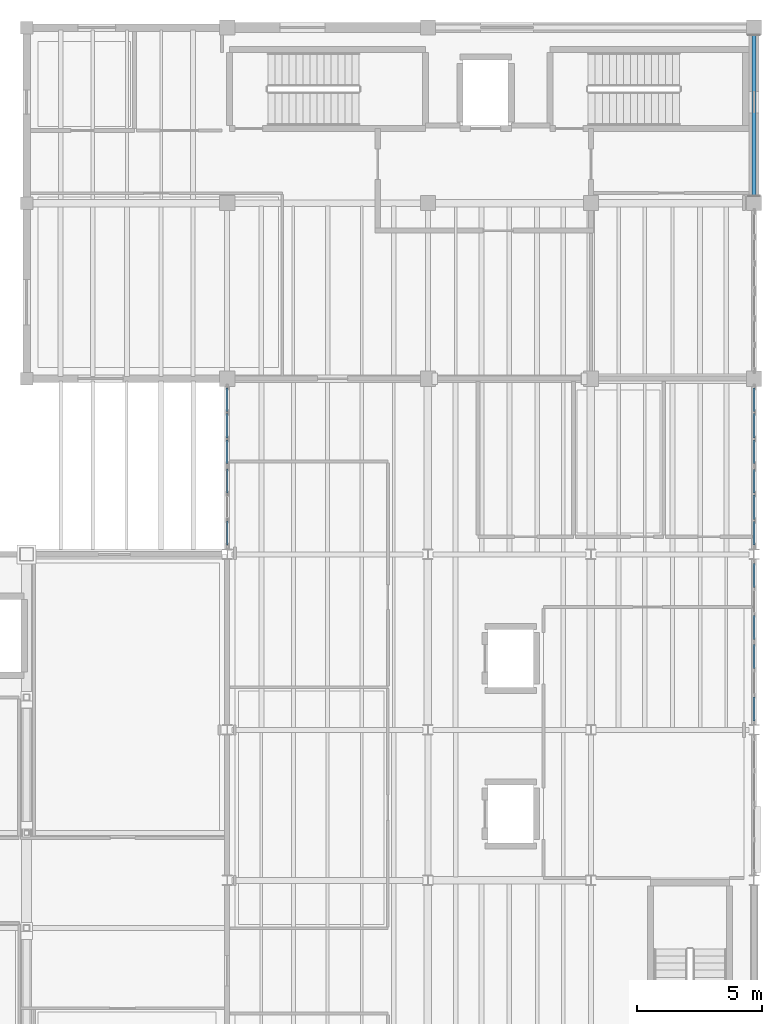
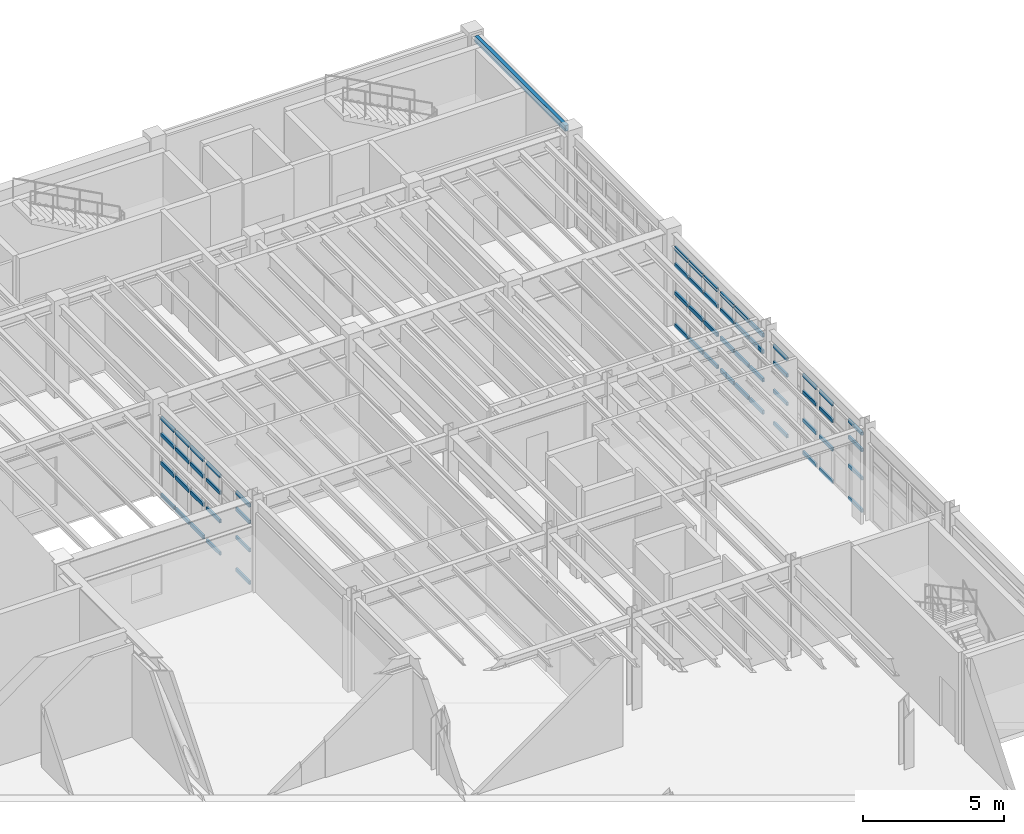
# One storey, part 46 of 78: 60 members, 1 beam, 6 elements without a shape of their own.
"""IFC4 building model written with IfcOpenShell, lengths in metres."""

import ifcopenshell
import ifcopenshell.guid

model = None  # the IFC model being written
_history = None  # IfcOwnerHistory: only IFC2X3 demands one
_inside = {}  # id of a spatial element -> (the spatial element, [elements in it])
_under = {}  # id of a project, library or spatial element -> (it, [spatial elements below it])
_declared = {}  # id of a project -> (the project, [libraries it declares])
_typed = {}  # id of a type object -> (the type object, [elements of that type])
_made_of = {}  # id of a material, layer set ... -> (it, [elements and type objects made of it])


def new_model(schema):
    """Start an empty IFC model of exactly this schema.

    Asked for "IFC4X3", IfcOpenShell would pick the latest addendum, in which some entities
    have other attributes; the version numbers below select the first issue.
    IFC2X3 requires an IfcOwnerHistory on every rooted entity: one is made here for all.
    """
    global model, _history
    if schema == "IFC4X3":
        model = ifcopenshell.file(schema_version=(4, 3, 0, 0))
    else:
        model = ifcopenshell.file(schema=schema)
    _inside.clear()
    _under.clear()
    _declared.clear()
    _typed.clear()
    _made_of.clear()
    _history = None
    if model.schema == "IFC2X3":
        org = make("IfcOrganization", Name="unknown")
        user = make(
            "IfcPersonAndOrganization",
            ThePerson=make("IfcPerson", FamilyName="unknown"),
            TheOrganization=org,
        )
        app = make(
            "IfcApplication",
            ApplicationDeveloper=org,
            Version="unknown",
            ApplicationFullName="unknown",
            ApplicationIdentifier="unknown",
        )
        _history = make(
            "IfcOwnerHistory",
            OwningUser=user,
            OwningApplication=app,
            ChangeAction="ADDED",
            CreationDate=0,
        )
    return model


def make(cls, **values):
    """One entity of the class cls with the attributes given. An attribute that is None is left unset."""
    return model.create_entity(
        cls, **{name: value for name, value in values.items() if value is not None}
    )


def rooted(cls, **values):
    """An entity with a GlobalId (a new one), such as an element, a storey or a relation."""
    return make(cls, GlobalId=ifcopenshell.guid.new(), OwnerHistory=_history, **values)


def si_unit(unit_type, name, prefix=None):
    """IfcSIUnit, for example si_unit("LENGTHUNIT", "METRE", prefix="MILLI")."""
    return make("IfcSIUnit", UnitType=unit_type, Prefix=prefix, Name=name)


def assignment(units):
    """IfcUnitAssignment: the units of a project."""
    return None if units is None else make("IfcUnitAssignment", Units=units)


def point(xyz):
    """IfcCartesianPoint."""
    return None if xyz is None else make("IfcCartesianPoint", Coordinates=xyz)


def direction(xyz):
    """IfcDirection."""
    return None if xyz is None else make("IfcDirection", DirectionRatios=xyz)


def frame(location, z_axis=None, x_axis=None):
    """IfcAxis2Placement3D, a coordinate frame: its origin and axes. An axis left out is left unset."""
    return make(
        "IfcAxis2Placement3D",
        Location=point(location),
        Axis=direction(z_axis),
        RefDirection=direction(x_axis),
    )


def frame_2d(location, x_axis=None):
    """IfcAxis2Placement2D, a coordinate frame in the plane: its origin and x axis."""
    return make(
        "IfcAxis2Placement2D", Location=point(location), RefDirection=direction(x_axis)
    )


def origin():
    """The frame at (0, 0, 0) with its axes left unset."""
    return frame((0.0, 0.0, 0.0))


def origin_2d():
    """The frame at (0, 0) in the plane with its x axis left unset."""
    return frame_2d((0.0, 0.0))


def place(relative_to, where):
    """IfcLocalPlacement: puts the frame where relative to a parent placement (None: the world)."""
    return make(
        "IfcLocalPlacement", PlacementRelTo=relative_to, RelativePlacement=where
    )


def context(
    kind, dimensions, precision=None, world=None, true_north=None, identifier=None
):
    """IfcGeometricRepresentationContext, for example the 3D "Model" context."""
    return make(
        "IfcGeometricRepresentationContext",
        ContextIdentifier=identifier,
        ContextType=kind,
        CoordinateSpaceDimension=dimensions,
        Precision=precision,
        WorldCoordinateSystem=world,
        TrueNorth=true_north,
    )


def subcontext(parent, identifier, kind, view, scale=None):
    """IfcGeometricRepresentationSubContext, for example "Body" below "Model"."""
    return make(
        "IfcGeometricRepresentationSubContext",
        ContextIdentifier=identifier,
        ContextType=kind,
        ParentContext=parent,
        TargetScale=scale,
        TargetView=view,
    )


def project(units=None, contexts=None):
    """IfcProject with its units and contexts."""
    return rooted(
        "IfcProject",
        Name="project",
        RepresentationContexts=contexts,
        UnitsInContext=assignment(units),
    )


def spatial(cls, under=None, at=None, **own):
    """A site, building, storey or space (cls), placed at a placement, below another one or the project."""
    s = rooted(cls, ObjectPlacement=at, **own)
    if under is not None:
        _under.setdefault(under.id(), (under, []))[1].append(s)
    return s


def profile(cls, at=None, kind="AREA", **sizes):
    """A parametric profile (cls). Its sizes go by their IFC names, for example OverallWidth=200.0."""
    return make(cls, ProfileType=kind, Position=at, **sizes)


def hollow_rectangle(**sizes):
    """IfcRectangleHollowProfileDef."""
    return profile("IfcRectangleHollowProfileDef", **sizes)


def extrude(swept, where, along, depth):
    """IfcExtrudedAreaSolid: the profile swept, set in the frame where, extruded along a direction by depth."""
    return make(
        "IfcExtrudedAreaSolid",
        SweptArea=swept,
        Position=where,
        ExtrudedDirection=direction(along),
        Depth=depth,
    )


def shape(context_of_items, identifier, shape_type, items):
    """IfcShapeRepresentation: the items that make up one representation, for example the "Body"."""
    return make(
        "IfcShapeRepresentation",
        ContextOfItems=context_of_items,
        RepresentationIdentifier=identifier,
        RepresentationType=shape_type,
        Items=items,
    )


def material(Name=None, Category=None):
    """IfcMaterial."""
    return make("IfcMaterial", Name=Name, Category=Category)


def material_profile(
    of_material, cross_section, Name=None, Category=None, Priority=None
):
    """IfcMaterialProfile: a cross section and its material."""
    return make(
        "IfcMaterialProfile",
        Name=Name,
        Material=of_material,
        Profile=cross_section,
        Priority=Priority,
        Category=Category,
    )


def profile_set(profiles, Name=None, composite=None):
    """IfcMaterialProfileSet."""
    return make(
        "IfcMaterialProfileSet",
        Name=Name,
        MaterialProfiles=profiles,
        CompositeProfile=composite,
    )


def made_of(thing, what):
    """Note that an element or type object is made of a material, layer set ...; save() writes the relation."""
    if what is not None:
        _made_of.setdefault(what.id(), (what, []))[1].append(thing)
    return thing


def type_object(cls, material=None, **own):
    """A type object (cls), such as IfcWallType, which elements share."""
    return made_of(rooted(cls, **own), material)


def element(
    cls,
    number,
    at=None,
    inside=None,
    cuts=None,
    type_object=None,
    material=None,
    context=None,
    identifier="Body",
    shape_type=None,
    held_by="IfcProductDefinitionShape",
    body=None,
    shapes=None,
    **own,
):
    """One element of the class cls, such as IfcWall. Its Tag is "e" and its number.

    at: its placement. inside: the storey or other place that contains it. cuts: it is an
    opening in that element (IfcRelVoidsElement). A single representation is given by context,
    identifier, shape_type and body (its items); several are given by shapes. held_by: the class
    of the entity that holds the representations. save() writes the other relations.
    """
    e = rooted(cls, Tag="e%d" % number, ObjectPlacement=at, **own)
    if body is not None:
        shapes = [shape(context, identifier, shape_type, body)]
    if shapes is not None:
        e.Representation = make(held_by, Representations=shapes)
    if inside is not None:
        _inside.setdefault(inside.id(), (inside, []))[1].append(e)
    if cuts is not None:
        rooted(
            "IfcRelVoidsElement", RelatingBuildingElement=cuts, RelatedOpeningElement=e
        )
    if type_object is not None:
        _typed.setdefault(type_object.id(), (type_object, []))[1].append(e)
    return made_of(e, material)


def aggregate(whole, parts):
    """IfcRelAggregates: a whole, such as a stair, and the parts it consists of."""
    return rooted("IfcRelAggregates", RelatingObject=whole, RelatedObjects=parts)


def save(model, path):
    """Write the relations noted so far, then the file.

    IfcRelAggregates (storeys below a building ...), IfcRelContainedInSpatialStructure (elements
    in a storey), IfcRelDefinesByType, IfcRelAssociatesMaterial and IfcRelDeclares: one each for
    every whole, place, type object, material and project.
    """
    for whole, parts in _under.values():
        aggregate(whole, parts)
    for where, things in _inside.values():
        rooted(
            "IfcRelContainedInSpatialStructure",
            RelatedElements=things,
            RelatingStructure=where,
        )
    for kind, things in _typed.values():
        rooted("IfcRelDefinesByType", RelatedObjects=things, RelatingType=kind)
    for what, things in _made_of.values():
        rooted("IfcRelAssociatesMaterial", RelatedObjects=things, RelatingMaterial=what)
    for by, libraries in _declared.values():
        rooted("IfcRelDeclares", RelatingContext=by, RelatedDefinitions=libraries)
    model.write(path)


model = new_model("IFC4")

# Units and contexts
model_context = context("Model", 3, precision=1e-05, world=origin(), true_north=direction((0.0, 1.0)))
body_context = subcontext(model_context, "Body", "Model", "MODEL_VIEW")
ifc_project = project(units=[si_unit("LENGTHUNIT", "METRE"), si_unit("AREAUNIT", "SQUARE_METRE"), si_unit("VOLUMEUNIT", "CUBIC_METRE"), si_unit("PLANEANGLEUNIT", "RADIAN"), si_unit("MASSUNIT", "GRAM", prefix="KILO"), si_unit("THERMODYNAMICTEMPERATUREUNIT", "KELVIN"), si_unit("POWERUNIT", "WATT")], contexts=[model_context])

# Site, building, storey
site_placement = place(None, origin())
site = spatial("IfcSite", under=ifc_project, at=site_placement, CompositionType="ELEMENT")
building_placement = place(site_placement, origin())
building = spatial("IfcBuilding", under=site, at=building_placement, Name="Zhenchuan Central Fire Station", CompositionType="ELEMENT")
storey_placement = place(building_placement, frame((0.0, 0.0, 5.85009765625)))
storey = spatial("IfcBuildingStorey", under=building, at=storey_placement, Name="L02", CompositionType="ELEMENT", Elevation=5.85009765625)

# Curtain wall, members
ifc_material_1 = material(Name="Anodised aluminium and low-E glazing", Category="aluminium")
curtain_wall_type_1 = type_object("IfcCurtainWallType", Name="CW-MOD-10", PredefinedType="USERDEFINED", material=ifc_material_1)
curtain_wall_1_placement = place(storey_placement, origin())
curtain_wall_1 = element("IfcCurtainWall", 1, at=curtain_wall_1_placement, inside=storey, type_object=curtain_wall_type_1, Name="L02 Unitised Curtain Wall 092", ObjectType="UNITISED GLAZING", PredefinedType="USERDEFINED")
ifc_material_2 = material(Name="Anodised aluminium EN AW-6063", Category="aluminium")
ifc_material_profile_1 = material_profile(ifc_material_2, hollow_rectangle(XDim=0.074951171875, YDim=0.14990234375, WallThickness=0.0048828125, at=origin_2d()), Name="ALU-T 150x75")
ifc_profile_set_1 = profile_set([ifc_material_profile_1], Name="Anodised aluminium EN AW-6063")
member_type_1 = type_object("IfcMemberType", Name="CW-TRN130", PredefinedType="NOTDEFINED", material=ifc_profile_set_1)
member_1_placement = place(storey_placement, frame((161.0, 28.864990234375, 0.0283203125), z_axis=(0.0, 1.0, 0.0), x_axis=(-1.0, 0.0, 0.0)))
member_1 = element("IfcMember", 2, at=member_1_placement, type_object=member_type_1, Name="CW-10 transom 1.1", ObjectType="TRANSOM", PredefinedType="USERDEFINED", context=body_context, shape_type="SweptSolid", body=[
    extrude(hollow_rectangle(XDim=0.074951171875, YDim=0.14990234375, WallThickness=0.0048828125, at=origin_2d()), origin(), (0.0, 0.0, 1.0), 0.95654296875),
])
member_2_placement = place(storey_placement, frame((161.0, 28.864990234375, 1.427978515625), z_axis=(0.0, 1.0, 0.0), x_axis=(-1.0, 0.0, 0.0)))
member_2 = element("IfcMember", 3, at=member_2_placement, type_object=member_type_1, Name="CW-10 transom 1.2", ObjectType="TRANSOM", PredefinedType="USERDEFINED", context=body_context, shape_type="SweptSolid", body=[
    extrude(hollow_rectangle(XDim=0.074951171875, YDim=0.14990234375, WallThickness=0.0048828125, at=origin_2d()), origin(), (0.0, 0.0, 1.0), 0.95654296875),
])
member_3_placement = place(storey_placement, frame((161.0, 28.864990234375, 2.65185546875), z_axis=(0.0, 1.0, 0.0), x_axis=(-1.0, 0.0, 0.0)))
member_3 = element("IfcMember", 4, at=member_3_placement, type_object=member_type_1, Name="CW-10 transom 1.3", ObjectType="TRANSOM", PredefinedType="USERDEFINED", context=body_context, shape_type="SweptSolid", body=[
    extrude(hollow_rectangle(XDim=0.074951171875, YDim=0.14990234375, WallThickness=0.0048828125, at=origin_2d()), origin(), (0.0, 0.0, 1.0), 0.95654296875),
])
member_4_placement = place(storey_placement, frame((161.0, 28.864990234375, 3.367431640625), z_axis=(0.0, 1.0, 0.0), x_axis=(-1.0, 0.0, 0.0)))
member_4 = element("IfcMember", 5, at=member_4_placement, type_object=member_type_1, Name="CW-10 transom 1.4", ObjectType="TRANSOM", PredefinedType="USERDEFINED", context=body_context, shape_type="SweptSolid", body=[
    extrude(hollow_rectangle(XDim=0.074951171875, YDim=0.14990234375, WallThickness=0.0048828125, at=origin_2d()), origin(), (0.0, 0.0, 1.0), 0.95654296875),
])
member_5_placement = place(storey_placement, frame((161.0, 30.9404296875, 0.0283203125), z_axis=(0.0, 1.0, 0.0), x_axis=(-1.0, 0.0, 0.0)))
member_5 = element("IfcMember", 6, at=member_5_placement, type_object=member_type_1, Name="CW-10 transom 3.1", ObjectType="TRANSOM", PredefinedType="USERDEFINED", context=body_context, shape_type="SweptSolid", body=[
    extrude(hollow_rectangle(XDim=0.074951171875, YDim=0.14990234375, WallThickness=0.0048828125, at=origin_2d()), origin(), (0.0, 0.0, 1.0), 0.95654296875),
])
member_6_placement = place(storey_placement, frame((161.0, 30.9404296875, 1.427978515625), z_axis=(0.0, 1.0, 0.0), x_axis=(-1.0, 0.0, 0.0)))
member_6 = element("IfcMember", 7, at=member_6_placement, type_object=member_type_1, Name="CW-10 transom 3.2", ObjectType="TRANSOM", PredefinedType="USERDEFINED", context=body_context, shape_type="SweptSolid", body=[
    extrude(hollow_rectangle(XDim=0.074951171875, YDim=0.14990234375, WallThickness=0.0048828125, at=origin_2d()), origin(), (0.0, 0.0, 1.0), 0.95654296875),
])
member_7_placement = place(storey_placement, frame((161.0, 30.9404296875, 2.65185546875), z_axis=(0.0, 1.0, 0.0), x_axis=(-1.0, 0.0, 0.0)))
member_7 = element("IfcMember", 8, at=member_7_placement, type_object=member_type_1, Name="CW-10 transom 3.3", ObjectType="TRANSOM", PredefinedType="USERDEFINED", context=body_context, shape_type="SweptSolid", body=[
    extrude(hollow_rectangle(XDim=0.074951171875, YDim=0.14990234375, WallThickness=0.0048828125, at=origin_2d()), origin(), (0.0, 0.0, 1.0), 0.95654296875),
])
member_8_placement = place(storey_placement, frame((161.0, 30.9404296875, 3.367431640625), z_axis=(0.0, 1.0, 0.0), x_axis=(-1.0, 0.0, 0.0)))
member_8 = element("IfcMember", 9, at=member_8_placement, type_object=member_type_1, Name="CW-10 transom 3.4", ObjectType="TRANSOM", PredefinedType="USERDEFINED", context=body_context, shape_type="SweptSolid", body=[
    extrude(hollow_rectangle(XDim=0.074951171875, YDim=0.14990234375, WallThickness=0.0048828125, at=origin_2d()), origin(), (0.0, 0.0, 1.0), 0.95654296875),
])
aggregate(curtain_wall_1, [member_1, member_2, member_3, member_4, member_5, member_6, member_7, member_8])

curtain_wall_type_2 = type_object("IfcCurtainWallType", Name="CW-MOD-11", PredefinedType="USERDEFINED", material=ifc_material_1)
curtain_wall_2_placement = place(storey_placement, origin())
curtain_wall_2 = element("IfcCurtainWall", 10, at=curtain_wall_2_placement, inside=storey, type_object=curtain_wall_type_2, Name="L02 Unitised Curtain Wall 093", ObjectType="UNITISED GLAZING", PredefinedType="USERDEFINED")
member_9_placement = place(storey_placement, frame((161.0, 32.10302734375, 0.0283203125), z_axis=(0.0, 1.0, 0.0), x_axis=(-1.0, 0.0, 0.0)))
member_9 = element("IfcMember", 11, at=member_9_placement, type_object=member_type_1, Name="CW-11 transom 1.1", ObjectType="TRANSOM", PredefinedType="USERDEFINED", context=body_context, shape_type="SweptSolid", body=[
    extrude(hollow_rectangle(XDim=0.074951171875, YDim=0.14990234375, WallThickness=0.0048828125, at=origin_2d()), origin(), (0.0, 0.0, 1.0), 0.95654296875),
])
member_10_placement = place(storey_placement, frame((161.0, 32.10302734375, 1.427978515625), z_axis=(0.0, 1.0, 0.0), x_axis=(-1.0, 0.0, 0.0)))
member_10 = element("IfcMember", 12, at=member_10_placement, type_object=member_type_1, Name="CW-11 transom 1.2", ObjectType="TRANSOM", PredefinedType="USERDEFINED", context=body_context, shape_type="SweptSolid", body=[
    extrude(hollow_rectangle(XDim=0.074951171875, YDim=0.14990234375, WallThickness=0.0048828125, at=origin_2d()), origin(), (0.0, 0.0, 1.0), 0.95654296875),
])
member_11_placement = place(storey_placement, frame((161.0, 32.10302734375, 2.65185546875), z_axis=(0.0, 1.0, 0.0), x_axis=(-1.0, 0.0, 0.0)))
member_11 = element("IfcMember", 13, at=member_11_placement, type_object=member_type_1, Name="CW-11 transom 1.3", ObjectType="TRANSOM", PredefinedType="USERDEFINED", context=body_context, shape_type="SweptSolid", body=[
    extrude(hollow_rectangle(XDim=0.074951171875, YDim=0.14990234375, WallThickness=0.0048828125, at=origin_2d()), origin(), (0.0, 0.0, 1.0), 0.95654296875),
])
member_12_placement = place(storey_placement, frame((161.0, 32.10302734375, 3.367431640625), z_axis=(0.0, 1.0, 0.0), x_axis=(-1.0, 0.0, 0.0)))
member_12 = element("IfcMember", 14, at=member_12_placement, type_object=member_type_1, Name="CW-11 transom 1.4", ObjectType="TRANSOM", PredefinedType="USERDEFINED", context=body_context, shape_type="SweptSolid", body=[
    extrude(hollow_rectangle(XDim=0.074951171875, YDim=0.14990234375, WallThickness=0.0048828125, at=origin_2d()), origin(), (0.0, 0.0, 1.0), 0.95654296875),
])
member_13_placement = place(storey_placement, frame((161.0, 34.178466796875, 0.0283203125), z_axis=(0.0, 1.0, 0.0), x_axis=(-1.0, 0.0, 0.0)))
member_13 = element("IfcMember", 15, at=member_13_placement, type_object=member_type_1, Name="CW-11 transom 3.1", ObjectType="TRANSOM", PredefinedType="USERDEFINED", context=body_context, shape_type="SweptSolid", body=[
    extrude(hollow_rectangle(XDim=0.074951171875, YDim=0.14990234375, WallThickness=0.0048828125, at=origin_2d()), origin(), (0.0, 0.0, 1.0), 0.95654296875),
])
member_14_placement = place(storey_placement, frame((161.0, 34.178466796875, 1.427978515625), z_axis=(0.0, 1.0, 0.0), x_axis=(-1.0, 0.0, 0.0)))
member_14 = element("IfcMember", 16, at=member_14_placement, type_object=member_type_1, Name="CW-11 transom 3.2", ObjectType="TRANSOM", PredefinedType="USERDEFINED", context=body_context, shape_type="SweptSolid", body=[
    extrude(hollow_rectangle(XDim=0.074951171875, YDim=0.14990234375, WallThickness=0.0048828125, at=origin_2d()), origin(), (0.0, 0.0, 1.0), 0.95654296875),
])
member_15_placement = place(storey_placement, frame((161.0, 34.178466796875, 2.65185546875), z_axis=(0.0, 1.0, 0.0), x_axis=(-1.0, 0.0, 0.0)))
member_15 = element("IfcMember", 17, at=member_15_placement, type_object=member_type_1, Name="CW-11 transom 3.3", ObjectType="TRANSOM", PredefinedType="USERDEFINED", context=body_context, shape_type="SweptSolid", body=[
    extrude(hollow_rectangle(XDim=0.074951171875, YDim=0.14990234375, WallThickness=0.0048828125, at=origin_2d()), origin(), (0.0, 0.0, 1.0), 0.95654296875),
])
member_16_placement = place(storey_placement, frame((161.0, 34.178466796875, 3.367431640625), z_axis=(0.0, 1.0, 0.0), x_axis=(-1.0, 0.0, 0.0)))
member_16 = element("IfcMember", 18, at=member_16_placement, type_object=member_type_1, Name="CW-11 transom 3.4", ObjectType="TRANSOM", PredefinedType="USERDEFINED", context=body_context, shape_type="SweptSolid", body=[
    extrude(hollow_rectangle(XDim=0.074951171875, YDim=0.14990234375, WallThickness=0.0048828125, at=origin_2d()), origin(), (0.0, 0.0, 1.0), 0.95654296875),
])
aggregate(curtain_wall_2, [member_9, member_10, member_11, member_12, member_13, member_14, member_15, member_16])

curtain_wall_3_placement = place(storey_placement, origin())
curtain_wall_3 = element("IfcCurtainWall", 19, at=curtain_wall_3_placement, inside=storey, type_object=curtain_wall_type_2, Name="L02 Unitised Curtain Wall 098", ObjectType="UNITISED GLAZING", PredefinedType="USERDEFINED")
member_17_placement = place(storey_placement, frame((140.0, 35.864990234375, 0.0283203125), z_axis=(0.0, 1.0, 0.0), x_axis=(-1.0, 0.0, 0.0)))
member_17 = element("IfcMember", 20, at=member_17_placement, type_object=member_type_1, Name="CW-11 transom 1.1", ObjectType="TRANSOM", PredefinedType="USERDEFINED", context=body_context, shape_type="SweptSolid", body=[
    extrude(hollow_rectangle(XDim=0.074951171875, YDim=0.14990234375, WallThickness=0.0048828125, at=origin_2d()), origin(), (0.0, 0.0, 1.0), 0.95654296875),
])
member_18_placement = place(storey_placement, frame((140.0, 35.864990234375, 1.427978515625), z_axis=(0.0, 1.0, 0.0), x_axis=(-1.0, 0.0, 0.0)))
member_18 = element("IfcMember", 21, at=member_18_placement, type_object=member_type_1, Name="CW-11 transom 1.2", ObjectType="TRANSOM", PredefinedType="USERDEFINED", context=body_context, shape_type="SweptSolid", body=[
    extrude(hollow_rectangle(XDim=0.074951171875, YDim=0.14990234375, WallThickness=0.0048828125, at=origin_2d()), origin(), (0.0, 0.0, 1.0), 0.95654296875),
])
member_19_placement = place(storey_placement, frame((140.0, 35.864990234375, 2.65185546875), z_axis=(0.0, 1.0, 0.0), x_axis=(-1.0, 0.0, 0.0)))
member_19 = element("IfcMember", 22, at=member_19_placement, type_object=member_type_1, Name="CW-11 transom 1.3", ObjectType="TRANSOM", PredefinedType="USERDEFINED", context=body_context, shape_type="SweptSolid", body=[
    extrude(hollow_rectangle(XDim=0.074951171875, YDim=0.14990234375, WallThickness=0.0048828125, at=origin_2d()), origin(), (0.0, 0.0, 1.0), 0.95654296875),
])
member_20_placement = place(storey_placement, frame((140.0, 35.864990234375, 3.367431640625), z_axis=(0.0, 1.0, 0.0), x_axis=(-1.0, 0.0, 0.0)))
member_20 = element("IfcMember", 23, at=member_20_placement, type_object=member_type_1, Name="CW-11 transom 1.4", ObjectType="TRANSOM", PredefinedType="USERDEFINED", context=body_context, shape_type="SweptSolid", body=[
    extrude(hollow_rectangle(XDim=0.074951171875, YDim=0.14990234375, WallThickness=0.0048828125, at=origin_2d()), origin(), (0.0, 0.0, 1.0), 0.95654296875),
])
member_21_placement = place(storey_placement, frame((140.0, 37.9404296875, 0.0283203125), z_axis=(0.0, 1.0, 0.0), x_axis=(-1.0, 0.0, 0.0)))
member_21 = element("IfcMember", 24, at=member_21_placement, type_object=member_type_1, Name="CW-11 transom 3.1", ObjectType="TRANSOM", PredefinedType="USERDEFINED", context=body_context, shape_type="SweptSolid", body=[
    extrude(hollow_rectangle(XDim=0.074951171875, YDim=0.14990234375, WallThickness=0.0048828125, at=origin_2d()), origin(), (0.0, 0.0, 1.0), 0.95654296875),
])
member_22_placement = place(storey_placement, frame((140.0, 37.9404296875, 1.427978515625), z_axis=(0.0, 1.0, 0.0), x_axis=(-1.0, 0.0, 0.0)))
member_22 = element("IfcMember", 25, at=member_22_placement, type_object=member_type_1, Name="CW-11 transom 3.2", ObjectType="TRANSOM", PredefinedType="USERDEFINED", context=body_context, shape_type="SweptSolid", body=[
    extrude(hollow_rectangle(XDim=0.074951171875, YDim=0.14990234375, WallThickness=0.0048828125, at=origin_2d()), origin(), (0.0, 0.0, 1.0), 0.95654296875),
])
member_23_placement = place(storey_placement, frame((140.0, 37.9404296875, 2.65185546875), z_axis=(0.0, 1.0, 0.0), x_axis=(-1.0, 0.0, 0.0)))
member_23 = element("IfcMember", 26, at=member_23_placement, type_object=member_type_1, Name="CW-11 transom 3.3", ObjectType="TRANSOM", PredefinedType="USERDEFINED", context=body_context, shape_type="SweptSolid", body=[
    extrude(hollow_rectangle(XDim=0.074951171875, YDim=0.14990234375, WallThickness=0.0048828125, at=origin_2d()), origin(), (0.0, 0.0, 1.0), 0.95654296875),
])
member_24_placement = place(storey_placement, frame((140.0, 37.9404296875, 3.367431640625), z_axis=(0.0, 1.0, 0.0), x_axis=(-1.0, 0.0, 0.0)))
member_24 = element("IfcMember", 27, at=member_24_placement, type_object=member_type_1, Name="CW-11 transom 3.4", ObjectType="TRANSOM", PredefinedType="USERDEFINED", context=body_context, shape_type="SweptSolid", body=[
    extrude(hollow_rectangle(XDim=0.074951171875, YDim=0.14990234375, WallThickness=0.0048828125, at=origin_2d()), origin(), (0.0, 0.0, 1.0), 0.95654296875),
])
aggregate(curtain_wall_3, [member_17, member_18, member_19, member_20, member_21, member_22, member_23, member_24])

curtain_wall_type_3 = type_object("IfcCurtainWallType", Name="CW-MOD-12", PredefinedType="USERDEFINED", material=ifc_material_1)
curtain_wall_4_placement = place(storey_placement, origin())
curtain_wall_4 = element("IfcCurtainWall", 28, at=curtain_wall_4_placement, inside=storey, type_object=curtain_wall_type_3, Name="L02 Unitised Curtain Wall 094", ObjectType="UNITISED GLAZING", PredefinedType="USERDEFINED")
ifc_material_profile_2 = material_profile(ifc_material_2, hollow_rectangle(XDim=0.080078125, YDim=0.1650390625, WallThickness=0.0048828125, at=origin_2d()), Name="ALU-T 165x80")
ifc_profile_set_2 = profile_set([ifc_material_profile_2], Name="Anodised aluminium EN AW-6063")
member_type_2 = type_object("IfcMemberType", Name="CW-TRN150", PredefinedType="NOTDEFINED", material=ifc_profile_set_2)
member_25_placement = place(storey_placement, frame((161.0, 35.875, 0.033447265625), z_axis=(0.0, 1.0, 0.0), x_axis=(-1.0, 0.0, 0.0)))
member_25 = element("IfcMember", 29, at=member_25_placement, type_object=member_type_2, Name="CW-12 transom 1.1", ObjectType="TRANSOM", PredefinedType="USERDEFINED", context=body_context, shape_type="SweptSolid", body=[
    extrude(hollow_rectangle(XDim=0.080078125, YDim=0.1650390625, WallThickness=0.0048828125, at=origin_2d()), origin(), (0.0, 0.0, 1.0), 0.94140625),
])
member_26_placement = place(storey_placement, frame((161.0, 35.875, 1.427978515625), z_axis=(0.0, 1.0, 0.0), x_axis=(-1.0, 0.0, 0.0)))
member_26 = element("IfcMember", 30, at=member_26_placement, type_object=member_type_2, Name="CW-12 transom 1.2", ObjectType="TRANSOM", PredefinedType="USERDEFINED", context=body_context, shape_type="SweptSolid", body=[
    extrude(hollow_rectangle(XDim=0.080078125, YDim=0.1650390625, WallThickness=0.0048828125, at=origin_2d()), origin(), (0.0, 0.0, 1.0), 0.94140625),
])
member_27_placement = place(storey_placement, frame((161.0, 35.875, 2.65185546875), z_axis=(0.0, 1.0, 0.0), x_axis=(-1.0, 0.0, 0.0)))
member_27 = element("IfcMember", 31, at=member_27_placement, type_object=member_type_2, Name="CW-12 transom 1.3", ObjectType="TRANSOM", PredefinedType="USERDEFINED", context=body_context, shape_type="SweptSolid", body=[
    extrude(hollow_rectangle(XDim=0.080078125, YDim=0.1650390625, WallThickness=0.0048828125, at=origin_2d()), origin(), (0.0, 0.0, 1.0), 0.94140625),
])
member_28_placement = place(storey_placement, frame((161.0, 35.875, 3.3623046875), z_axis=(0.0, 1.0, 0.0), x_axis=(-1.0, 0.0, 0.0)))
member_28 = element("IfcMember", 32, at=member_28_placement, type_object=member_type_2, Name="CW-12 transom 1.4", ObjectType="TRANSOM", PredefinedType="USERDEFINED", context=body_context, shape_type="SweptSolid", body=[
    extrude(hollow_rectangle(XDim=0.080078125, YDim=0.1650390625, WallThickness=0.0048828125, at=origin_2d()), origin(), (0.0, 0.0, 1.0), 0.94140625),
])
member_29_placement = place(storey_placement, frame((161.0, 36.8916015625, 0.033447265625), z_axis=(0.0, 1.0, 0.0), x_axis=(-1.0, 0.0, 0.0)))
member_29 = element("IfcMember", 33, at=member_29_placement, type_object=member_type_2, Name="CW-12 transom 2.1", ObjectType="TRANSOM", PredefinedType="USERDEFINED", context=body_context, shape_type="SweptSolid", body=[
    extrude(hollow_rectangle(XDim=0.080078125, YDim=0.1650390625, WallThickness=0.0048828125, at=origin_2d()), origin(), (0.0, 0.0, 1.0), 0.97900390625),
])
member_30_placement = place(storey_placement, frame((161.0, 36.8916015625, 1.427978515625), z_axis=(0.0, 1.0, 0.0), x_axis=(-1.0, 0.0, 0.0)))
member_30 = element("IfcMember", 34, at=member_30_placement, type_object=member_type_2, Name="CW-12 transom 2.2", ObjectType="TRANSOM", PredefinedType="USERDEFINED", context=body_context, shape_type="SweptSolid", body=[
    extrude(hollow_rectangle(XDim=0.080078125, YDim=0.1650390625, WallThickness=0.0048828125, at=origin_2d()), origin(), (0.0, 0.0, 1.0), 0.97900390625),
])
member_31_placement = place(storey_placement, frame((161.0, 36.8916015625, 2.65185546875), z_axis=(0.0, 1.0, 0.0), x_axis=(-1.0, 0.0, 0.0)))
member_31 = element("IfcMember", 35, at=member_31_placement, type_object=member_type_2, Name="CW-12 transom 2.3", ObjectType="TRANSOM", PredefinedType="USERDEFINED", context=body_context, shape_type="SweptSolid", body=[
    extrude(hollow_rectangle(XDim=0.080078125, YDim=0.1650390625, WallThickness=0.0048828125, at=origin_2d()), origin(), (0.0, 0.0, 1.0), 0.97900390625),
])
member_32_placement = place(storey_placement, frame((161.0, 36.8916015625, 3.3623046875), z_axis=(0.0, 1.0, 0.0), x_axis=(-1.0, 0.0, 0.0)))
member_32 = element("IfcMember", 36, at=member_32_placement, type_object=member_type_2, Name="CW-12 transom 2.4", ObjectType="TRANSOM", PredefinedType="USERDEFINED", context=body_context, shape_type="SweptSolid", body=[
    extrude(hollow_rectangle(XDim=0.080078125, YDim=0.1650390625, WallThickness=0.0048828125, at=origin_2d()), origin(), (0.0, 0.0, 1.0), 0.97900390625),
])
member_33_placement = place(storey_placement, frame((161.0, 37.945556640625, 0.033447265625), z_axis=(0.0, 1.0, 0.0), x_axis=(-1.0, 0.0, 0.0)))
member_33 = element("IfcMember", 37, at=member_33_placement, type_object=member_type_2, Name="CW-12 transom 3.1", ObjectType="TRANSOM", PredefinedType="USERDEFINED", context=body_context, shape_type="SweptSolid", body=[
    extrude(hollow_rectangle(XDim=0.080078125, YDim=0.1650390625, WallThickness=0.0048828125, at=origin_2d()), origin(), (0.0, 0.0, 1.0), 0.94140625),
])
member_34_placement = place(storey_placement, frame((161.0, 37.945556640625, 1.427978515625), z_axis=(0.0, 1.0, 0.0), x_axis=(-1.0, 0.0, 0.0)))
member_34 = element("IfcMember", 38, at=member_34_placement, type_object=member_type_2, Name="CW-12 transom 3.2", ObjectType="TRANSOM", PredefinedType="USERDEFINED", context=body_context, shape_type="SweptSolid", body=[
    extrude(hollow_rectangle(XDim=0.080078125, YDim=0.1650390625, WallThickness=0.0048828125, at=origin_2d()), origin(), (0.0, 0.0, 1.0), 0.94140625),
])
member_35_placement = place(storey_placement, frame((161.0, 37.945556640625, 2.65185546875), z_axis=(0.0, 1.0, 0.0), x_axis=(-1.0, 0.0, 0.0)))
member_35 = element("IfcMember", 39, at=member_35_placement, type_object=member_type_2, Name="CW-12 transom 3.3", ObjectType="TRANSOM", PredefinedType="USERDEFINED", context=body_context, shape_type="SweptSolid", body=[
    extrude(hollow_rectangle(XDim=0.080078125, YDim=0.1650390625, WallThickness=0.0048828125, at=origin_2d()), origin(), (0.0, 0.0, 1.0), 0.94140625),
])
member_36_placement = place(storey_placement, frame((161.0, 37.945556640625, 3.3623046875), z_axis=(0.0, 1.0, 0.0), x_axis=(-1.0, 0.0, 0.0)))
member_36 = element("IfcMember", 40, at=member_36_placement, type_object=member_type_2, Name="CW-12 transom 3.4", ObjectType="TRANSOM", PredefinedType="USERDEFINED", context=body_context, shape_type="SweptSolid", body=[
    extrude(hollow_rectangle(XDim=0.080078125, YDim=0.1650390625, WallThickness=0.0048828125, at=origin_2d()), origin(), (0.0, 0.0, 1.0), 0.94140625),
])
aggregate(curtain_wall_4, [member_25, member_26, member_27, member_28, member_29, member_30, member_31, member_32, member_33, member_34, member_35, member_36])

curtain_wall_type_4 = type_object("IfcCurtainWallType", Name="CW-MOD-13", PredefinedType="USERDEFINED", material=ifc_material_1)
curtain_wall_5_placement = place(storey_placement, origin())
curtain_wall_5 = element("IfcCurtainWall", 41, at=curtain_wall_5_placement, inside=storey, type_object=curtain_wall_type_4, Name="L02 Unitised Curtain Wall 095", ObjectType="UNITISED GLAZING", PredefinedType="USERDEFINED")
member_37_placement = place(storey_placement, frame((161.0, 39.113037109375, 0.033447265625), z_axis=(0.0, 1.0, 0.0), x_axis=(-1.0, 0.0, 0.0)))
member_37 = element("IfcMember", 42, at=member_37_placement, type_object=member_type_2, Name="CW-13 transom 1.1", ObjectType="TRANSOM", PredefinedType="USERDEFINED", context=body_context, shape_type="SweptSolid", body=[
    extrude(hollow_rectangle(XDim=0.080078125, YDim=0.1650390625, WallThickness=0.0048828125, at=origin_2d()), origin(), (0.0, 0.0, 1.0), 0.94140625),
])
member_38_placement = place(storey_placement, frame((161.0, 39.113037109375, 1.427978515625), z_axis=(0.0, 1.0, 0.0), x_axis=(-1.0, 0.0, 0.0)))
member_38 = element("IfcMember", 43, at=member_38_placement, type_object=member_type_2, Name="CW-13 transom 1.2", ObjectType="TRANSOM", PredefinedType="USERDEFINED", context=body_context, shape_type="SweptSolid", body=[
    extrude(hollow_rectangle(XDim=0.080078125, YDim=0.1650390625, WallThickness=0.0048828125, at=origin_2d()), origin(), (0.0, 0.0, 1.0), 0.94140625),
])
member_39_placement = place(storey_placement, frame((161.0, 39.113037109375, 2.65185546875), z_axis=(0.0, 1.0, 0.0), x_axis=(-1.0, 0.0, 0.0)))
member_39 = element("IfcMember", 44, at=member_39_placement, type_object=member_type_2, Name="CW-13 transom 1.3", ObjectType="TRANSOM", PredefinedType="USERDEFINED", context=body_context, shape_type="SweptSolid", body=[
    extrude(hollow_rectangle(XDim=0.080078125, YDim=0.1650390625, WallThickness=0.0048828125, at=origin_2d()), origin(), (0.0, 0.0, 1.0), 0.94140625),
])
member_40_placement = place(storey_placement, frame((161.0, 39.113037109375, 3.3623046875), z_axis=(0.0, 1.0, 0.0), x_axis=(-1.0, 0.0, 0.0)))
member_40 = element("IfcMember", 45, at=member_40_placement, type_object=member_type_2, Name="CW-13 transom 1.4", ObjectType="TRANSOM", PredefinedType="USERDEFINED", context=body_context, shape_type="SweptSolid", body=[
    extrude(hollow_rectangle(XDim=0.080078125, YDim=0.1650390625, WallThickness=0.0048828125, at=origin_2d()), origin(), (0.0, 0.0, 1.0), 0.94140625),
])
member_41_placement = place(storey_placement, frame((161.0, 40.12939453125, 0.033447265625), z_axis=(0.0, 1.0, 0.0), x_axis=(-1.0, 0.0, 0.0)))
member_41 = element("IfcMember", 46, at=member_41_placement, type_object=member_type_2, Name="CW-13 transom 2.1", ObjectType="TRANSOM", PredefinedType="USERDEFINED", context=body_context, shape_type="SweptSolid", body=[
    extrude(hollow_rectangle(XDim=0.080078125, YDim=0.1650390625, WallThickness=0.0048828125, at=origin_2d()), origin(), (0.0, 0.0, 1.0), 0.97900390625),
])
member_42_placement = place(storey_placement, frame((161.0, 40.12939453125, 1.427978515625), z_axis=(0.0, 1.0, 0.0), x_axis=(-1.0, 0.0, 0.0)))
member_42 = element("IfcMember", 47, at=member_42_placement, type_object=member_type_2, Name="CW-13 transom 2.2", ObjectType="TRANSOM", PredefinedType="USERDEFINED", context=body_context, shape_type="SweptSolid", body=[
    extrude(hollow_rectangle(XDim=0.080078125, YDim=0.1650390625, WallThickness=0.0048828125, at=origin_2d()), origin(), (0.0, 0.0, 1.0), 0.97900390625),
])
member_43_placement = place(storey_placement, frame((161.0, 40.12939453125, 2.65185546875), z_axis=(0.0, 1.0, 0.0), x_axis=(-1.0, 0.0, 0.0)))
member_43 = element("IfcMember", 48, at=member_43_placement, type_object=member_type_2, Name="CW-13 transom 2.3", ObjectType="TRANSOM", PredefinedType="USERDEFINED", context=body_context, shape_type="SweptSolid", body=[
    extrude(hollow_rectangle(XDim=0.080078125, YDim=0.1650390625, WallThickness=0.0048828125, at=origin_2d()), origin(), (0.0, 0.0, 1.0), 0.97900390625),
])
member_44_placement = place(storey_placement, frame((161.0, 40.12939453125, 3.3623046875), z_axis=(0.0, 1.0, 0.0), x_axis=(-1.0, 0.0, 0.0)))
member_44 = element("IfcMember", 49, at=member_44_placement, type_object=member_type_2, Name="CW-13 transom 2.4", ObjectType="TRANSOM", PredefinedType="USERDEFINED", context=body_context, shape_type="SweptSolid", body=[
    extrude(hollow_rectangle(XDim=0.080078125, YDim=0.1650390625, WallThickness=0.0048828125, at=origin_2d()), origin(), (0.0, 0.0, 1.0), 0.97900390625),
])
member_45_placement = place(storey_placement, frame((161.0, 41.18359375, 0.033447265625), z_axis=(0.0, 1.0, 0.0), x_axis=(-1.0, 0.0, 0.0)))
member_45 = element("IfcMember", 50, at=member_45_placement, type_object=member_type_2, Name="CW-13 transom 3.1", ObjectType="TRANSOM", PredefinedType="USERDEFINED", context=body_context, shape_type="SweptSolid", body=[
    extrude(hollow_rectangle(XDim=0.080078125, YDim=0.1650390625, WallThickness=0.0048828125, at=origin_2d()), origin(), (0.0, 0.0, 1.0), 0.94140625),
])
member_46_placement = place(storey_placement, frame((161.0, 41.18359375, 1.427978515625), z_axis=(0.0, 1.0, 0.0), x_axis=(-1.0, 0.0, 0.0)))
member_46 = element("IfcMember", 51, at=member_46_placement, type_object=member_type_2, Name="CW-13 transom 3.2", ObjectType="TRANSOM", PredefinedType="USERDEFINED", context=body_context, shape_type="SweptSolid", body=[
    extrude(hollow_rectangle(XDim=0.080078125, YDim=0.1650390625, WallThickness=0.0048828125, at=origin_2d()), origin(), (0.0, 0.0, 1.0), 0.94140625),
])
member_47_placement = place(storey_placement, frame((161.0, 41.18359375, 2.65185546875), z_axis=(0.0, 1.0, 0.0), x_axis=(-1.0, 0.0, 0.0)))
member_47 = element("IfcMember", 52, at=member_47_placement, type_object=member_type_2, Name="CW-13 transom 3.3", ObjectType="TRANSOM", PredefinedType="USERDEFINED", context=body_context, shape_type="SweptSolid", body=[
    extrude(hollow_rectangle(XDim=0.080078125, YDim=0.1650390625, WallThickness=0.0048828125, at=origin_2d()), origin(), (0.0, 0.0, 1.0), 0.94140625),
])
member_48_placement = place(storey_placement, frame((161.0, 41.18359375, 3.3623046875), z_axis=(0.0, 1.0, 0.0), x_axis=(-1.0, 0.0, 0.0)))
member_48 = element("IfcMember", 53, at=member_48_placement, type_object=member_type_2, Name="CW-13 transom 3.4", ObjectType="TRANSOM", PredefinedType="USERDEFINED", context=body_context, shape_type="SweptSolid", body=[
    extrude(hollow_rectangle(XDim=0.080078125, YDim=0.1650390625, WallThickness=0.0048828125, at=origin_2d()), origin(), (0.0, 0.0, 1.0), 0.94140625),
])
aggregate(curtain_wall_5, [member_37, member_38, member_39, member_40, member_41, member_42, member_43, member_44, member_45, member_46, member_47, member_48])

curtain_wall_6_placement = place(storey_placement, origin())
curtain_wall_6 = element("IfcCurtainWall", 54, at=curtain_wall_6_placement, inside=storey, type_object=curtain_wall_type_3, Name="L02 Unitised Curtain Wall 099", ObjectType="UNITISED GLAZING", PredefinedType="USERDEFINED")
member_49_placement = place(storey_placement, frame((140.0, 39.113037109375, 0.033447265625), z_axis=(0.0, 1.0, 0.0), x_axis=(-1.0, 0.0, 0.0)))
member_49 = element("IfcMember", 55, at=member_49_placement, type_object=member_type_2, Name="CW-12 transom 1.1", ObjectType="TRANSOM", PredefinedType="USERDEFINED", context=body_context, shape_type="SweptSolid", body=[
    extrude(hollow_rectangle(XDim=0.080078125, YDim=0.1650390625, WallThickness=0.0048828125, at=origin_2d()), origin(), (0.0, 0.0, 1.0), 0.94140625),
])
member_50_placement = place(storey_placement, frame((140.0, 39.113037109375, 1.427978515625), z_axis=(0.0, 1.0, 0.0), x_axis=(-1.0, 0.0, 0.0)))
member_50 = element("IfcMember", 56, at=member_50_placement, type_object=member_type_2, Name="CW-12 transom 1.2", ObjectType="TRANSOM", PredefinedType="USERDEFINED", context=body_context, shape_type="SweptSolid", body=[
    extrude(hollow_rectangle(XDim=0.080078125, YDim=0.1650390625, WallThickness=0.0048828125, at=origin_2d()), origin(), (0.0, 0.0, 1.0), 0.94140625),
])
member_51_placement = place(storey_placement, frame((140.0, 39.113037109375, 2.65185546875), z_axis=(0.0, 1.0, 0.0), x_axis=(-1.0, 0.0, 0.0)))
member_51 = element("IfcMember", 57, at=member_51_placement, type_object=member_type_2, Name="CW-12 transom 1.3", ObjectType="TRANSOM", PredefinedType="USERDEFINED", context=body_context, shape_type="SweptSolid", body=[
    extrude(hollow_rectangle(XDim=0.080078125, YDim=0.1650390625, WallThickness=0.0048828125, at=origin_2d()), origin(), (0.0, 0.0, 1.0), 0.94140625),
])
member_52_placement = place(storey_placement, frame((140.0, 39.113037109375, 3.3623046875), z_axis=(0.0, 1.0, 0.0), x_axis=(-1.0, 0.0, 0.0)))
member_52 = element("IfcMember", 58, at=member_52_placement, type_object=member_type_2, Name="CW-12 transom 1.4", ObjectType="TRANSOM", PredefinedType="USERDEFINED", context=body_context, shape_type="SweptSolid", body=[
    extrude(hollow_rectangle(XDim=0.080078125, YDim=0.1650390625, WallThickness=0.0048828125, at=origin_2d()), origin(), (0.0, 0.0, 1.0), 0.94140625),
])
member_53_placement = place(storey_placement, frame((140.0, 40.12939453125, 0.033447265625), z_axis=(0.0, 1.0, 0.0), x_axis=(-1.0, 0.0, 0.0)))
member_53 = element("IfcMember", 59, at=member_53_placement, type_object=member_type_2, Name="CW-12 transom 2.1", ObjectType="TRANSOM", PredefinedType="USERDEFINED", context=body_context, shape_type="SweptSolid", body=[
    extrude(hollow_rectangle(XDim=0.080078125, YDim=0.1650390625, WallThickness=0.0048828125, at=origin_2d()), origin(), (0.0, 0.0, 1.0), 0.97900390625),
])
member_54_placement = place(storey_placement, frame((140.0, 40.12939453125, 1.427978515625), z_axis=(0.0, 1.0, 0.0), x_axis=(-1.0, 0.0, 0.0)))
member_54 = element("IfcMember", 60, at=member_54_placement, type_object=member_type_2, Name="CW-12 transom 2.2", ObjectType="TRANSOM", PredefinedType="USERDEFINED", context=body_context, shape_type="SweptSolid", body=[
    extrude(hollow_rectangle(XDim=0.080078125, YDim=0.1650390625, WallThickness=0.0048828125, at=origin_2d()), origin(), (0.0, 0.0, 1.0), 0.97900390625),
])
member_55_placement = place(storey_placement, frame((140.0, 40.12939453125, 2.65185546875), z_axis=(0.0, 1.0, 0.0), x_axis=(-1.0, 0.0, 0.0)))
member_55 = element("IfcMember", 61, at=member_55_placement, type_object=member_type_2, Name="CW-12 transom 2.3", ObjectType="TRANSOM", PredefinedType="USERDEFINED", context=body_context, shape_type="SweptSolid", body=[
    extrude(hollow_rectangle(XDim=0.080078125, YDim=0.1650390625, WallThickness=0.0048828125, at=origin_2d()), origin(), (0.0, 0.0, 1.0), 0.97900390625),
])
member_56_placement = place(storey_placement, frame((140.0, 40.12939453125, 3.3623046875), z_axis=(0.0, 1.0, 0.0), x_axis=(-1.0, 0.0, 0.0)))
member_56 = element("IfcMember", 62, at=member_56_placement, type_object=member_type_2, Name="CW-12 transom 2.4", ObjectType="TRANSOM", PredefinedType="USERDEFINED", context=body_context, shape_type="SweptSolid", body=[
    extrude(hollow_rectangle(XDim=0.080078125, YDim=0.1650390625, WallThickness=0.0048828125, at=origin_2d()), origin(), (0.0, 0.0, 1.0), 0.97900390625),
])
member_57_placement = place(storey_placement, frame((140.0, 41.18359375, 0.033447265625), z_axis=(0.0, 1.0, 0.0), x_axis=(-1.0, 0.0, 0.0)))
member_57 = element("IfcMember", 63, at=member_57_placement, type_object=member_type_2, Name="CW-12 transom 3.1", ObjectType="TRANSOM", PredefinedType="USERDEFINED", context=body_context, shape_type="SweptSolid", body=[
    extrude(hollow_rectangle(XDim=0.080078125, YDim=0.1650390625, WallThickness=0.0048828125, at=origin_2d()), origin(), (0.0, 0.0, 1.0), 0.94140625),
])
member_58_placement = place(storey_placement, frame((140.0, 41.18359375, 1.427978515625), z_axis=(0.0, 1.0, 0.0), x_axis=(-1.0, 0.0, 0.0)))
member_58 = element("IfcMember", 64, at=member_58_placement, type_object=member_type_2, Name="CW-12 transom 3.2", ObjectType="TRANSOM", PredefinedType="USERDEFINED", context=body_context, shape_type="SweptSolid", body=[
    extrude(hollow_rectangle(XDim=0.080078125, YDim=0.1650390625, WallThickness=0.0048828125, at=origin_2d()), origin(), (0.0, 0.0, 1.0), 0.94140625),
])
member_59_placement = place(storey_placement, frame((140.0, 41.18359375, 2.65185546875), z_axis=(0.0, 1.0, 0.0), x_axis=(-1.0, 0.0, 0.0)))
member_59 = element("IfcMember", 65, at=member_59_placement, type_object=member_type_2, Name="CW-12 transom 3.3", ObjectType="TRANSOM", PredefinedType="USERDEFINED", context=body_context, shape_type="SweptSolid", body=[
    extrude(hollow_rectangle(XDim=0.080078125, YDim=0.1650390625, WallThickness=0.0048828125, at=origin_2d()), origin(), (0.0, 0.0, 1.0), 0.94140625),
])
member_60_placement = place(storey_placement, frame((140.0, 41.18359375, 3.3623046875), z_axis=(0.0, 1.0, 0.0), x_axis=(-1.0, 0.0, 0.0)))
member_60 = element("IfcMember", 66, at=member_60_placement, type_object=member_type_2, Name="CW-12 transom 3.4", ObjectType="TRANSOM", PredefinedType="USERDEFINED", context=body_context, shape_type="SweptSolid", body=[
    extrude(hollow_rectangle(XDim=0.080078125, YDim=0.1650390625, WallThickness=0.0048828125, at=origin_2d()), origin(), (0.0, 0.0, 1.0), 0.94140625),
])
aggregate(curtain_wall_6, [member_49, member_50, member_51, member_52, member_53, member_54, member_55, member_56, member_57, member_58, member_59, member_60])

# Beam
ifc_material_3 = material(Name="Steel Q355B", Category="steel")
ifc_material_profile_3 = material_profile(ifc_material_3, hollow_rectangle(XDim=0.14990234375, YDim=0.25, WallThickness=0.010009765625, at=origin_2d()), Name="RHS 250x150x10")
ifc_profile_set_3 = profile_set([ifc_material_profile_3], Name="Steel Q355B")
beam_type = type_object("IfcBeamType", Name="SP-RHS250", PredefinedType="SPANDREL", material=ifc_profile_set_3)
beam_placement = place(storey_placement, frame((161.0, 49.800048828125, 3.875), z_axis=(0.0, 1.0, 0.0), x_axis=(-1.0, 0.0, 0.0)))
element("IfcBeam", 67, at=beam_placement, inside=storey, type_object=beam_type, Name="L03 Girder NS 0346", PredefinedType="SPANDREL", context=body_context, shape_type="SweptSolid", body=[
    extrude(hollow_rectangle(XDim=0.14990234375, YDim=0.25, WallThickness=0.010009765625, at=origin_2d()), origin(), (0.0, 0.0, 1.0), 6.39990234375),
])

save(model, "model.ifc")
